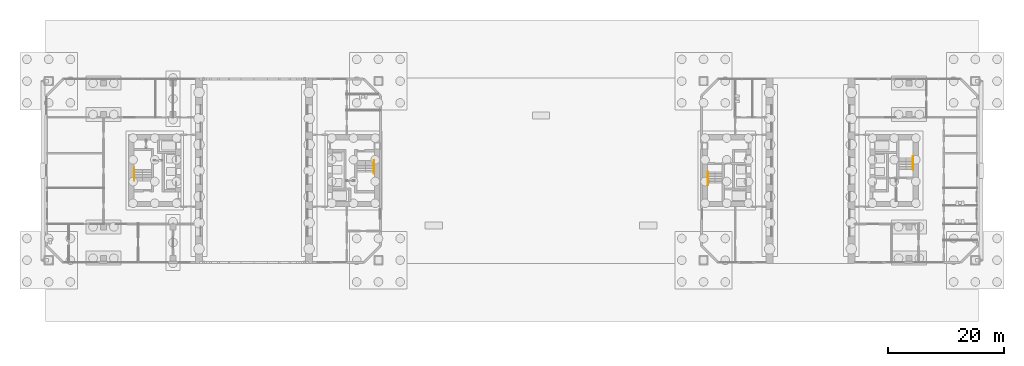
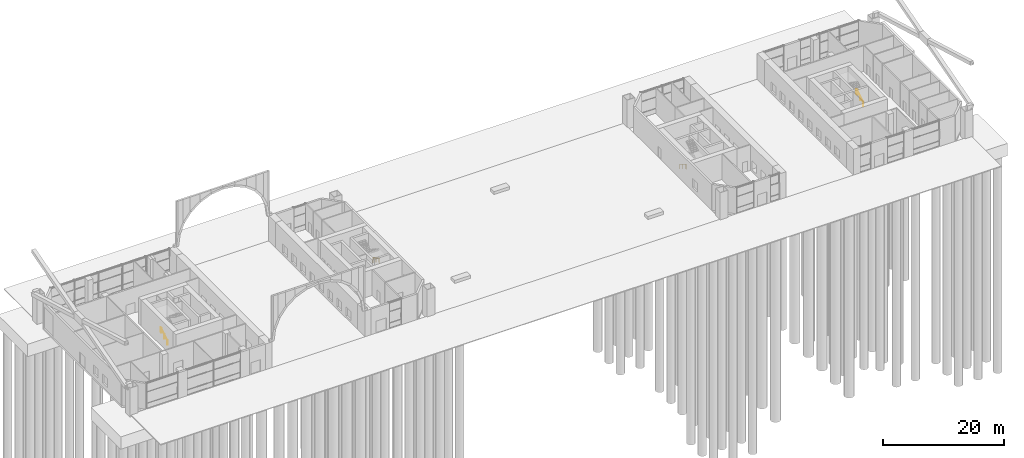
# One storey, part 23 of 26: 4 railings.
"""IFC4 building model written with IfcOpenShell, lengths in metres."""

import ifcopenshell
import ifcopenshell.guid

model = None  # the IFC model being written
_history = None  # IfcOwnerHistory: only IFC2X3 demands one
_inside = {}  # id of a spatial element -> (the spatial element, [elements in it])
_under = {}  # id of a project, library or spatial element -> (it, [spatial elements below it])
_declared = {}  # id of a project -> (the project, [libraries it declares])
_typed = {}  # id of a type object -> (the type object, [elements of that type])
_made_of = {}  # id of a material, layer set ... -> (it, [elements and type objects made of it])


def new_model(schema):
    """Start an empty IFC model of exactly this schema.

    Asked for "IFC4X3", IfcOpenShell would pick the latest addendum, in which some entities
    have other attributes; the version numbers below select the first issue.
    IFC2X3 requires an IfcOwnerHistory on every rooted entity: one is made here for all.
    """
    global model, _history
    if schema == "IFC4X3":
        model = ifcopenshell.file(schema_version=(4, 3, 0, 0))
    else:
        model = ifcopenshell.file(schema=schema)
    _inside.clear()
    _under.clear()
    _declared.clear()
    _typed.clear()
    _made_of.clear()
    _history = None
    if model.schema == "IFC2X3":
        org = make("IfcOrganization", Name="unknown")
        user = make(
            "IfcPersonAndOrganization",
            ThePerson=make("IfcPerson", FamilyName="unknown"),
            TheOrganization=org,
        )
        app = make(
            "IfcApplication",
            ApplicationDeveloper=org,
            Version="unknown",
            ApplicationFullName="unknown",
            ApplicationIdentifier="unknown",
        )
        _history = make(
            "IfcOwnerHistory",
            OwningUser=user,
            OwningApplication=app,
            ChangeAction="ADDED",
            CreationDate=0,
        )
    return model


def make(cls, **values):
    """One entity of the class cls with the attributes given. An attribute that is None is left unset."""
    return model.create_entity(
        cls, **{name: value for name, value in values.items() if value is not None}
    )


def rooted(cls, **values):
    """An entity with a GlobalId (a new one), such as an element, a storey or a relation."""
    return make(cls, GlobalId=ifcopenshell.guid.new(), OwnerHistory=_history, **values)


def si_unit(unit_type, name, prefix=None):
    """IfcSIUnit, for example si_unit("LENGTHUNIT", "METRE", prefix="MILLI")."""
    return make("IfcSIUnit", UnitType=unit_type, Prefix=prefix, Name=name)


def assignment(units):
    """IfcUnitAssignment: the units of a project."""
    return None if units is None else make("IfcUnitAssignment", Units=units)


def point(xyz):
    """IfcCartesianPoint."""
    return None if xyz is None else make("IfcCartesianPoint", Coordinates=xyz)


def direction(xyz):
    """IfcDirection."""
    return None if xyz is None else make("IfcDirection", DirectionRatios=xyz)


def frame(location, z_axis=None, x_axis=None):
    """IfcAxis2Placement3D, a coordinate frame: its origin and axes. An axis left out is left unset."""
    return make(
        "IfcAxis2Placement3D",
        Location=point(location),
        Axis=direction(z_axis),
        RefDirection=direction(x_axis),
    )


def frame_2d(location, x_axis=None):
    """IfcAxis2Placement2D, a coordinate frame in the plane: its origin and x axis."""
    return make(
        "IfcAxis2Placement2D", Location=point(location), RefDirection=direction(x_axis)
    )


def origin():
    """The frame at (0, 0, 0) with its axes left unset."""
    return frame((0.0, 0.0, 0.0))


def origin_2d():
    """The frame at (0, 0) in the plane with its x axis left unset."""
    return frame_2d((0.0, 0.0))


def place(relative_to, where):
    """IfcLocalPlacement: puts the frame where relative to a parent placement (None: the world)."""
    return make(
        "IfcLocalPlacement", PlacementRelTo=relative_to, RelativePlacement=where
    )


def context(
    kind, dimensions, precision=None, world=None, true_north=None, identifier=None
):
    """IfcGeometricRepresentationContext, for example the 3D "Model" context."""
    return make(
        "IfcGeometricRepresentationContext",
        ContextIdentifier=identifier,
        ContextType=kind,
        CoordinateSpaceDimension=dimensions,
        Precision=precision,
        WorldCoordinateSystem=world,
        TrueNorth=true_north,
    )


def subcontext(parent, identifier, kind, view, scale=None):
    """IfcGeometricRepresentationSubContext, for example "Body" below "Model"."""
    return make(
        "IfcGeometricRepresentationSubContext",
        ContextIdentifier=identifier,
        ContextType=kind,
        ParentContext=parent,
        TargetScale=scale,
        TargetView=view,
    )


def project(units=None, contexts=None):
    """IfcProject with its units and contexts."""
    return rooted(
        "IfcProject",
        Name="project",
        RepresentationContexts=contexts,
        UnitsInContext=assignment(units),
    )


def spatial(cls, under=None, at=None, **own):
    """A site, building, storey or space (cls), placed at a placement, below another one or the project."""
    s = rooted(cls, ObjectPlacement=at, **own)
    if under is not None:
        _under.setdefault(under.id(), (under, []))[1].append(s)
    return s


def profile(cls, at=None, kind="AREA", **sizes):
    """A parametric profile (cls). Its sizes go by their IFC names, for example OverallWidth=200.0."""
    return make(cls, ProfileType=kind, Position=at, **sizes)


def circle(**sizes):
    """IfcCircleProfileDef."""
    return profile("IfcCircleProfileDef", **sizes)


def extrude(swept, where, along, depth):
    """IfcExtrudedAreaSolid: the profile swept, set in the frame where, extruded along a direction by depth."""
    return make(
        "IfcExtrudedAreaSolid",
        SweptArea=swept,
        Position=where,
        ExtrudedDirection=direction(along),
        Depth=depth,
    )


def shape(context_of_items, identifier, shape_type, items):
    """IfcShapeRepresentation: the items that make up one representation, for example the "Body"."""
    return make(
        "IfcShapeRepresentation",
        ContextOfItems=context_of_items,
        RepresentationIdentifier=identifier,
        RepresentationType=shape_type,
        Items=items,
    )


def material(Name=None, Category=None):
    """IfcMaterial."""
    return make("IfcMaterial", Name=Name, Category=Category)


def made_of(thing, what):
    """Note that an element or type object is made of a material, layer set ...; save() writes the relation."""
    if what is not None:
        _made_of.setdefault(what.id(), (what, []))[1].append(thing)
    return thing


def type_object(cls, material=None, **own):
    """A type object (cls), such as IfcWallType, which elements share."""
    return made_of(rooted(cls, **own), material)


def element(
    cls,
    number,
    at=None,
    inside=None,
    cuts=None,
    type_object=None,
    material=None,
    context=None,
    identifier="Body",
    shape_type=None,
    held_by="IfcProductDefinitionShape",
    body=None,
    shapes=None,
    **own,
):
    """One element of the class cls, such as IfcWall. Its Tag is "e" and its number.

    at: its placement. inside: the storey or other place that contains it. cuts: it is an
    opening in that element (IfcRelVoidsElement). A single representation is given by context,
    identifier, shape_type and body (its items); several are given by shapes. held_by: the class
    of the entity that holds the representations. save() writes the other relations.
    """
    e = rooted(cls, Tag="e%d" % number, ObjectPlacement=at, **own)
    if body is not None:
        shapes = [shape(context, identifier, shape_type, body)]
    if shapes is not None:
        e.Representation = make(held_by, Representations=shapes)
    if inside is not None:
        _inside.setdefault(inside.id(), (inside, []))[1].append(e)
    if cuts is not None:
        rooted(
            "IfcRelVoidsElement", RelatingBuildingElement=cuts, RelatedOpeningElement=e
        )
    if type_object is not None:
        _typed.setdefault(type_object.id(), (type_object, []))[1].append(e)
    return made_of(e, material)


def aggregate(whole, parts):
    """IfcRelAggregates: a whole, such as a stair, and the parts it consists of."""
    return rooted("IfcRelAggregates", RelatingObject=whole, RelatedObjects=parts)


def save(model, path):
    """Write the relations noted so far, then the file.

    IfcRelAggregates (storeys below a building ...), IfcRelContainedInSpatialStructure (elements
    in a storey), IfcRelDefinesByType, IfcRelAssociatesMaterial and IfcRelDeclares: one each for
    every whole, place, type object, material and project.
    """
    for whole, parts in _under.values():
        aggregate(whole, parts)
    for where, things in _inside.values():
        rooted(
            "IfcRelContainedInSpatialStructure",
            RelatedElements=things,
            RelatingStructure=where,
        )
    for kind, things in _typed.values():
        rooted("IfcRelDefinesByType", RelatedObjects=things, RelatingType=kind)
    for what, things in _made_of.values():
        rooted("IfcRelAssociatesMaterial", RelatedObjects=things, RelatingMaterial=what)
    for by, libraries in _declared.values():
        rooted("IfcRelDeclares", RelatingContext=by, RelatedDefinitions=libraries)
    model.write(path)


model = new_model("IFC4")

# Units and contexts
model_context = context("Model", 3, precision=1e-05, world=origin(), true_north=direction((0.0, 1.0)))
body_context = subcontext(model_context, "Body", "Model", "MODEL_VIEW")
ifc_project = project(units=[si_unit("LENGTHUNIT", "METRE"), si_unit("AREAUNIT", "SQUARE_METRE"), si_unit("VOLUMEUNIT", "CUBIC_METRE"), si_unit("PLANEANGLEUNIT", "RADIAN"), si_unit("MASSUNIT", "GRAM", prefix="KILO")], contexts=[model_context])

# Site, building, storey
site_placement = place(None, origin())
site = spatial("IfcSite", under=ifc_project, at=site_placement, CompositionType="ELEMENT")
building_placement = place(site_placement, origin())
building = spatial("IfcBuilding", under=site, at=building_placement, Name="Tuart Gate Housing", CompositionType="ELEMENT")
storey_placement = place(building_placement, origin())
storey = spatial("IfcBuildingStorey", under=building, at=storey_placement, Name="L00", CompositionType="ELEMENT", Elevation=0.0)

# Railings
ifc_material = material(Name="Stainless steel", Category="steel")
railing_type = type_object("IfcRailingType", Name="Stair handrail 900", PredefinedType="HANDRAIL", material=ifc_material)
railing_1_placement = place(storey_placement, frame((74.679931640625, 71.75, 0.171875)))
element("IfcRailing", 1, at=railing_1_placement, inside=storey, type_object=railing_type, Name="Stair handrail SA1.1", PredefinedType="HANDRAIL", context=body_context, shape_type="SweptSolid", body=[
    extrude(circle(Radius=0.02392578125, at=origin_2d()), frame((0.0, 0.0, 0.8759765625), z_axis=(0.0, -0.852240978134, 0.523149419562), x_axis=(1.0, 0.0, 0.0)), (0.0, 0.0, 1.0), 2.2998046875),
    extrude(circle(Radius=0.02392578125, at=origin_2d()), frame((0.0, -1.9599609375, 2.0791015625), z_axis=(0.0, -1.0, 0.0), x_axis=(1.0, 0.0, 0.0)), (0.0, 0.0, 1.0), 0.300048828125),
    extrude(circle(Radius=0.02099609375, at=origin_2d()), origin(), (0.0, 0.0, 1.0), 0.851806640625),
    extrude(circle(Radius=0.02099609375, at=origin_2d()), frame((0.0, -0.97998046875, 0.6015625)), (0.0, 0.0, 1.0), 0.851806640625),
    extrude(circle(Radius=0.02099609375, at=origin_2d()), frame((0.0, -1.9599609375, 1.203125)), (0.0, 0.0, 1.0), 0.851806640625),
    extrude(circle(Radius=0.02099609375, at=origin_2d()), frame((0.0, -2.260009765625, 1.203125)), (0.0, 0.0, 1.0), 0.851806640625),
])
railing_2_placement = place(storey_placement, frame((33.320068359375, 68.25, 0.171875)))
element("IfcRailing", 2, at=railing_2_placement, inside=storey, type_object=railing_type, Name="Stair handrail SA2.1", PredefinedType="HANDRAIL", context=body_context, shape_type="SweptSolid", body=[
    extrude(circle(Radius=0.02392578125, at=origin_2d()), frame((0.0, 0.0, 0.8759765625), z_axis=(0.0, 0.852240978134, 0.523149419562), x_axis=(-1.0, 0.0, 0.0)), (0.0, 0.0, 1.0), 2.2998046875),
    extrude(circle(Radius=0.02392578125, at=origin_2d()), frame((0.0, 1.9599609375, 2.0791015625), z_axis=(0.0, 1.0, 0.0), x_axis=(-1.0, 0.0, 0.0)), (0.0, 0.0, 1.0), 0.300048828125),
    extrude(circle(Radius=0.02099609375, at=origin_2d()), origin(), (0.0, 0.0, 1.0), 0.851806640625),
    extrude(circle(Radius=0.02099609375, at=origin_2d()), frame((0.0, 0.97998046875, 0.6015625)), (0.0, 0.0, 1.0), 0.851806640625),
    extrude(circle(Radius=0.02099609375, at=origin_2d()), frame((0.0, 1.9599609375, 1.203125)), (0.0, 0.0, 1.0), 0.851806640625),
    extrude(circle(Radius=0.02099609375, at=origin_2d()), frame((0.0, 2.260009765625, 1.203125)), (0.0, 0.0, 1.0), 0.851806640625),
])
railing_3_placement = place(storey_placement, frame((132.320068359375, 69.800048828125, 0.171875)))
element("IfcRailing", 3, at=railing_3_placement, inside=storey, type_object=railing_type, Name="Stair handrail SB1.1", PredefinedType="HANDRAIL", context=body_context, shape_type="SweptSolid", body=[
    extrude(circle(Radius=0.02392578125, at=origin_2d()), frame((0.0, 0.0, 0.8759765625), z_axis=(0.0, -0.852240978134, 0.523149419562), x_axis=(1.0, 0.0, 0.0)), (0.0, 0.0, 1.0), 2.2998046875),
    extrude(circle(Radius=0.02392578125, at=origin_2d()), frame((0.0, -1.9599609375, 2.0791015625), z_axis=(0.0, -1.0, 0.0), x_axis=(1.0, 0.0, 0.0)), (0.0, 0.0, 1.0), 0.300048828125),
    extrude(circle(Radius=0.02099609375, at=origin_2d()), origin(), (0.0, 0.0, 1.0), 0.851806640625),
    extrude(circle(Radius=0.02099609375, at=origin_2d()), frame((0.0, -0.97998046875, 0.6015625)), (0.0, 0.0, 1.0), 0.851806640625),
    extrude(circle(Radius=0.02099609375, at=origin_2d()), frame((0.0, -1.9599609375, 1.203125)), (0.0, 0.0, 1.0), 0.851806640625),
    extrude(circle(Radius=0.02099609375, at=origin_2d()), frame((0.0, -2.260009765625, 1.203125)), (0.0, 0.0, 1.0), 0.851806640625),
])
railing_4_placement = place(storey_placement, frame((167.679931640625, 70.199951171875, 0.171875)))
element("IfcRailing", 4, at=railing_4_placement, inside=storey, type_object=railing_type, Name="Stair handrail SB2.1", PredefinedType="HANDRAIL", context=body_context, shape_type="SweptSolid", body=[
    extrude(circle(Radius=0.02392578125, at=origin_2d()), frame((0.0, 0.0, 0.8759765625), z_axis=(0.0, 0.852240978134, 0.523149419562), x_axis=(-1.0, 0.0, 0.0)), (0.0, 0.0, 1.0), 2.2998046875),
    extrude(circle(Radius=0.02392578125, at=origin_2d()), frame((0.0, 1.9599609375, 2.0791015625), z_axis=(0.0, 1.0, 0.0), x_axis=(-1.0, 0.0, 0.0)), (0.0, 0.0, 1.0), 0.300048828125),
    extrude(circle(Radius=0.02099609375, at=origin_2d()), origin(), (0.0, 0.0, 1.0), 0.851806640625),
    extrude(circle(Radius=0.02099609375, at=origin_2d()), frame((0.0, 0.97998046875, 0.6015625)), (0.0, 0.0, 1.0), 0.851806640625),
    extrude(circle(Radius=0.02099609375, at=origin_2d()), frame((0.0, 1.9599609375, 1.203125)), (0.0, 0.0, 1.0), 0.851806640625),
    extrude(circle(Radius=0.02099609375, at=origin_2d()), frame((0.0, 2.260009765625, 1.203125)), (0.0, 0.0, 1.0), 0.851806640625),
])

save(model, "model.ifc")
